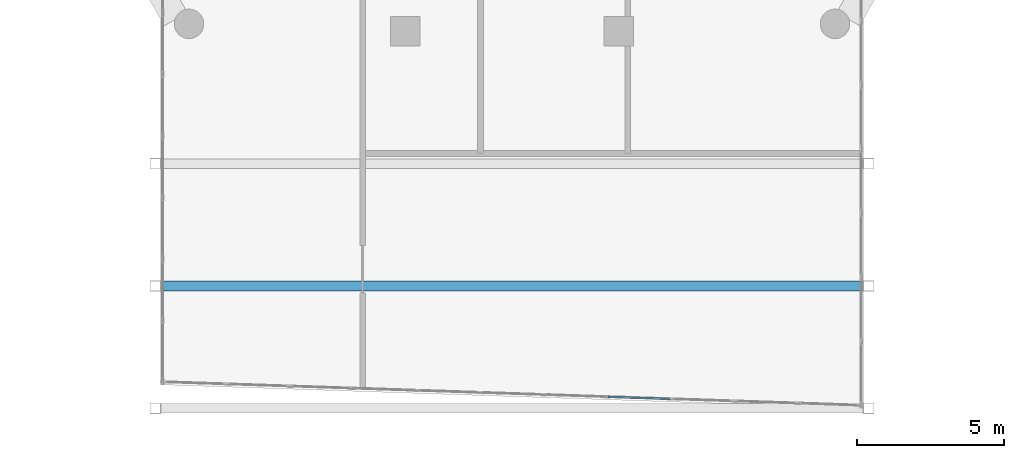
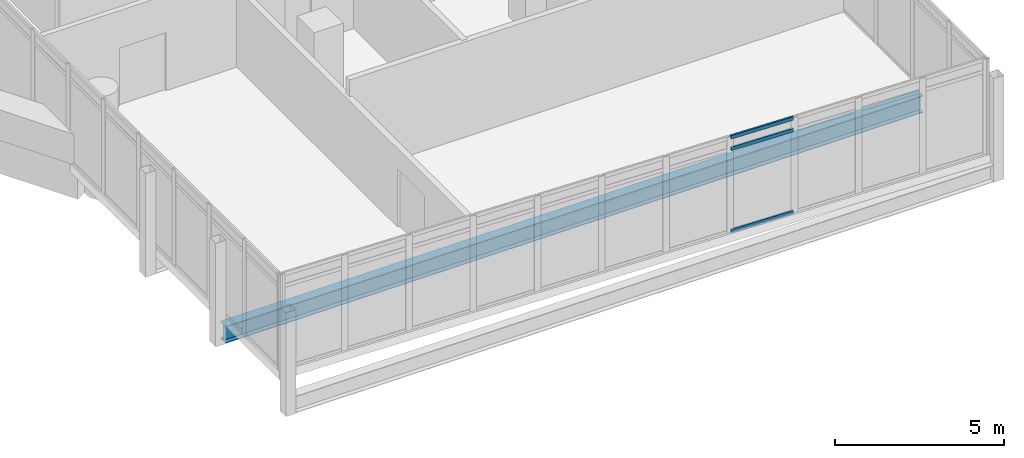
# One storey, part 6 of 37: 3 members, 1 beam, 1 element without a shape of its own.
"""IFC4 building model written with IfcOpenShell, lengths in metres."""

from ifc_helpers import new_model, si_unit, direction, frame, origin, origin_2d, place, context, subcontext, project, spatial, hollow_rectangle, i_section, extrude, material, material_profile, profile_set, type_object, element, aggregate, save


model = new_model("IFC4")

# Units and contexts
model_context = context("Model", 3, precision=1e-05, world=origin(), true_north=direction((0.0, 1.0)))
body_context = subcontext(model_context, "Body", "Model", "MODEL_VIEW")
ifc_project = project(units=[si_unit("LENGTHUNIT", "METRE"), si_unit("AREAUNIT", "SQUARE_METRE"), si_unit("VOLUMEUNIT", "CUBIC_METRE"), si_unit("PLANEANGLEUNIT", "RADIAN"), si_unit("MASSUNIT", "GRAM", prefix="KILO")], contexts=[model_context])

# Site, building, storey
site_placement = place(None, origin())
site = spatial("IfcSite", under=ifc_project, at=site_placement, CompositionType="ELEMENT")
building_placement = place(site_placement, origin())
building = spatial("IfcBuilding", under=site, at=building_placement, Name="Ostrander Bayou Hotel Tower", CompositionType="ELEMENT")
storey_placement = place(building_placement, frame((0.0, 0.0, 198.25)))
storey = spatial("IfcBuildingStorey", under=building, at=storey_placement, Name="L49", CompositionType="ELEMENT", Elevation=198.25)

# Curtain wall, members
ifc_material_1 = material(Name="Aluminium and clear glass", Category="aluminium")
curtain_wall_type = type_object("IfcCurtainWallType", Name="CW-BAR glazed wall", PredefinedType="NOTDEFINED", material=ifc_material_1)
curtain_wall_placement = place(storey_placement, origin())
curtain_wall = element("IfcCurtainWall", 1, at=curtain_wall_placement, inside=storey, type_object=curtain_wall_type, Name="CW-BAR L49:SB4S:T", PredefinedType="NOTDEFINED")
ifc_material_2 = material(Name="Aluminium", Category="aluminium")
ifc_material_profile_1 = material_profile(ifc_material_2, hollow_rectangle(XDim=0.06005859375, YDim=0.1298828125, WallThickness=0.00390625, at=origin_2d()))
ifc_profile_set_1 = profile_set([ifc_material_profile_1], Name="Aluminium")
member_type = type_object("IfcMemberType", Name="CW-BR transom 60 x 130 mm", PredefinedType="USERDEFINED", material=ifc_profile_set_1)
member_1_placement = place(storey_placement, frame((3.263671875, -29.759521484375, 0.030029296875), z_axis=(0.999441672059, -0.033411736736, 0.0), x_axis=(0.033411736736, 0.999441672059, 0.0)))
member_1 = element("IfcMember", 2, at=member_1_placement, type_object=member_type, Name="CW-BAR transom 8.1", ObjectType="TRANSOM", PredefinedType="USERDEFINED", context=body_context, shape_type="SweptSolid", body=[
    extrude(hollow_rectangle(XDim=0.06005859375, YDim=0.1298828125, WallThickness=0.00390625, at=origin_2d()), origin(), (0.0, 0.0, 1.0), 2.09716796875),
])
member_2_placement = place(storey_placement, frame((3.263671875, -29.759521484375, 3.0), z_axis=(0.999441672059, -0.033411736736, 0.0), x_axis=(0.033411736736, 0.999441672059, 0.0)))
member_2 = element("IfcMember", 3, at=member_2_placement, type_object=member_type, Name="CW-BAR transom 8.2", ObjectType="TRANSOM", PredefinedType="USERDEFINED", context=body_context, shape_type="SweptSolid", body=[
    extrude(hollow_rectangle(XDim=0.06005859375, YDim=0.1298828125, WallThickness=0.00390625, at=origin_2d()), origin(), (0.0, 0.0, 1.0), 2.09716796875),
])
member_3_placement = place(storey_placement, frame((3.263671875, -29.759521484375, 3.419921875), z_axis=(0.999441672059, -0.033411736736, 0.0), x_axis=(0.033411736736, 0.999441672059, 0.0)))
member_3 = element("IfcMember", 4, at=member_3_placement, type_object=member_type, Name="CW-BAR transom 8.3", ObjectType="TRANSOM", PredefinedType="USERDEFINED", context=body_context, shape_type="SweptSolid", body=[
    extrude(hollow_rectangle(XDim=0.06005859375, YDim=0.1298828125, WallThickness=0.00390625, at=origin_2d()), origin(), (0.0, 0.0, 1.0), 2.09716796875),
])
aggregate(curtain_wall, [member_1, member_2, member_3])

# Beam
ifc_material_3 = material(Name="Steel ASTM A992", Category="steel")
ifc_material_profile_2 = material_profile(ifc_material_3, i_section(OverallWidth=0.32373046875, OverallDepth=0.611083984375, WebThickness=0.0126953125, FlangeThickness=0.01904296875, at=origin_2d()))
ifc_profile_set_2 = profile_set([ifc_material_profile_2], Name="Steel ASTM A992")
beam_type = type_object("IfcBeamType", Name="TF2 bar floor beam W24x104", PredefinedType="BEAM", material=ifc_profile_set_2)
beam_placement = place(storey_placement, frame((-11.93212890625, -25.995361328125, -0.605712890625), z_axis=(1.0, 0.0, 0.0), x_axis=(0.0, 1.0, 0.0)))
element("IfcBeam", 5, at=beam_placement, inside=storey, type_object=beam_type, Name="TF2 SB4S L2-2", PredefinedType="BEAM", context=body_context, shape_type="SweptSolid", body=[
    extrude(i_section(OverallWidth=0.32373046875, OverallDepth=0.611083984375, WebThickness=0.0126953125, FlangeThickness=0.01904296875, at=origin_2d()), origin(), (0.0, 0.0, 1.0), 23.8642578125),
])

save(model, "model.ifc")
